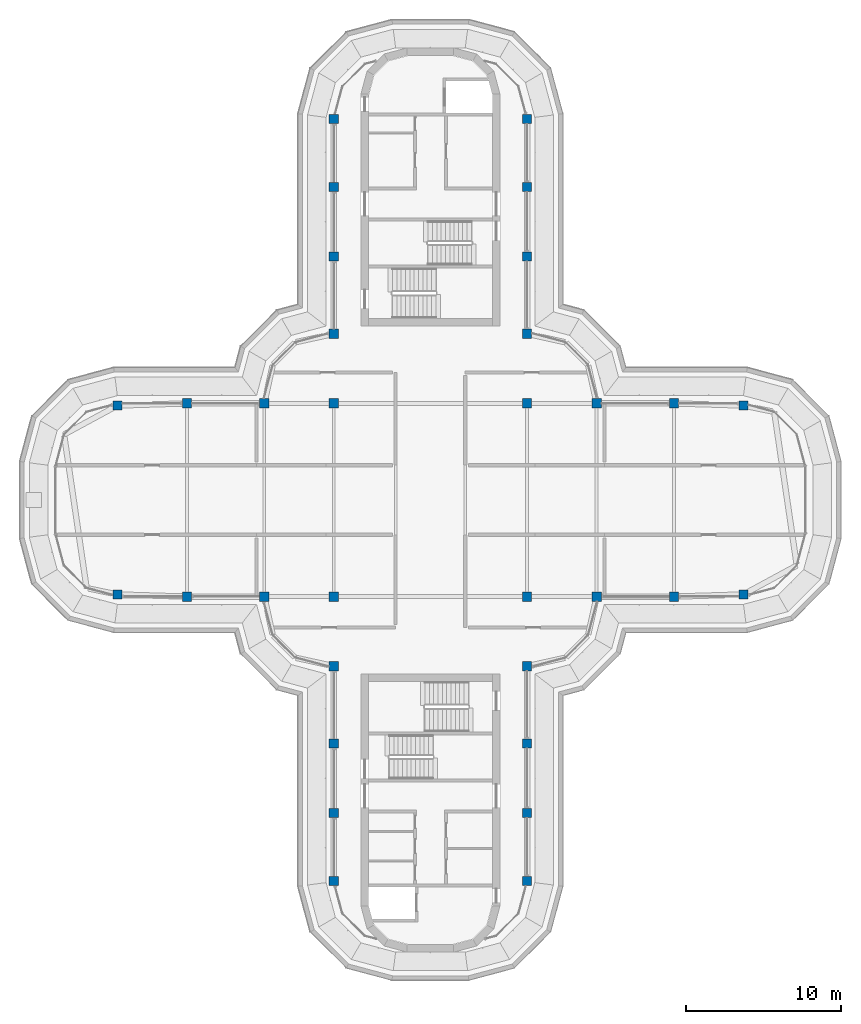
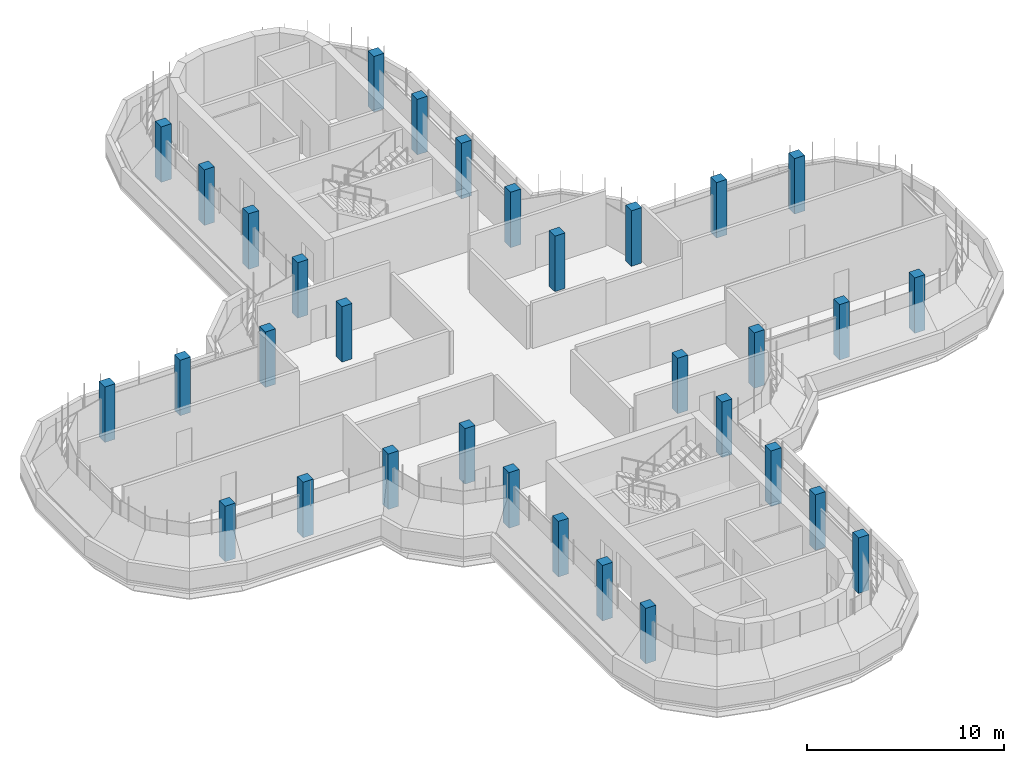
# One storey, part 1 of 19: 32 columns.
"""IFC4 building model written with IfcOpenShell, lengths in metres."""

import ifcopenshell
import ifcopenshell.guid

model = None  # the IFC model being written
_history = None  # IfcOwnerHistory: only IFC2X3 demands one
_inside = {}  # id of a spatial element -> (the spatial element, [elements in it])
_under = {}  # id of a project, library or spatial element -> (it, [spatial elements below it])
_declared = {}  # id of a project -> (the project, [libraries it declares])
_typed = {}  # id of a type object -> (the type object, [elements of that type])
_made_of = {}  # id of a material, layer set ... -> (it, [elements and type objects made of it])


def new_model(schema):
    """Start an empty IFC model of exactly this schema.

    Asked for "IFC4X3", IfcOpenShell would pick the latest addendum, in which some entities
    have other attributes; the version numbers below select the first issue.
    IFC2X3 requires an IfcOwnerHistory on every rooted entity: one is made here for all.
    """
    global model, _history
    if schema == "IFC4X3":
        model = ifcopenshell.file(schema_version=(4, 3, 0, 0))
    else:
        model = ifcopenshell.file(schema=schema)
    _inside.clear()
    _under.clear()
    _declared.clear()
    _typed.clear()
    _made_of.clear()
    _history = None
    if model.schema == "IFC2X3":
        org = make("IfcOrganization", Name="unknown")
        user = make(
            "IfcPersonAndOrganization",
            ThePerson=make("IfcPerson", FamilyName="unknown"),
            TheOrganization=org,
        )
        app = make(
            "IfcApplication",
            ApplicationDeveloper=org,
            Version="unknown",
            ApplicationFullName="unknown",
            ApplicationIdentifier="unknown",
        )
        _history = make(
            "IfcOwnerHistory",
            OwningUser=user,
            OwningApplication=app,
            ChangeAction="ADDED",
            CreationDate=0,
        )
    return model


def make(cls, **values):
    """One entity of the class cls with the attributes given. An attribute that is None is left unset."""
    return model.create_entity(
        cls, **{name: value for name, value in values.items() if value is not None}
    )


def rooted(cls, **values):
    """An entity with a GlobalId (a new one), such as an element, a storey or a relation."""
    return make(cls, GlobalId=ifcopenshell.guid.new(), OwnerHistory=_history, **values)


def si_unit(unit_type, name, prefix=None):
    """IfcSIUnit, for example si_unit("LENGTHUNIT", "METRE", prefix="MILLI")."""
    return make("IfcSIUnit", UnitType=unit_type, Prefix=prefix, Name=name)


def assignment(units):
    """IfcUnitAssignment: the units of a project."""
    return None if units is None else make("IfcUnitAssignment", Units=units)


def point(xyz):
    """IfcCartesianPoint."""
    return None if xyz is None else make("IfcCartesianPoint", Coordinates=xyz)


def direction(xyz):
    """IfcDirection."""
    return None if xyz is None else make("IfcDirection", DirectionRatios=xyz)


def frame(location, z_axis=None, x_axis=None):
    """IfcAxis2Placement3D, a coordinate frame: its origin and axes. An axis left out is left unset."""
    return make(
        "IfcAxis2Placement3D",
        Location=point(location),
        Axis=direction(z_axis),
        RefDirection=direction(x_axis),
    )


def frame_2d(location, x_axis=None):
    """IfcAxis2Placement2D, a coordinate frame in the plane: its origin and x axis."""
    return make(
        "IfcAxis2Placement2D", Location=point(location), RefDirection=direction(x_axis)
    )


def origin():
    """The frame at (0, 0, 0) with its axes left unset."""
    return frame((0.0, 0.0, 0.0))


def origin_2d():
    """The frame at (0, 0) in the plane with its x axis left unset."""
    return frame_2d((0.0, 0.0))


def place(relative_to, where):
    """IfcLocalPlacement: puts the frame where relative to a parent placement (None: the world)."""
    return make(
        "IfcLocalPlacement", PlacementRelTo=relative_to, RelativePlacement=where
    )


def context(
    kind, dimensions, precision=None, world=None, true_north=None, identifier=None
):
    """IfcGeometricRepresentationContext, for example the 3D "Model" context."""
    return make(
        "IfcGeometricRepresentationContext",
        ContextIdentifier=identifier,
        ContextType=kind,
        CoordinateSpaceDimension=dimensions,
        Precision=precision,
        WorldCoordinateSystem=world,
        TrueNorth=true_north,
    )


def subcontext(parent, identifier, kind, view, scale=None):
    """IfcGeometricRepresentationSubContext, for example "Body" below "Model"."""
    return make(
        "IfcGeometricRepresentationSubContext",
        ContextIdentifier=identifier,
        ContextType=kind,
        ParentContext=parent,
        TargetScale=scale,
        TargetView=view,
    )


def project(units=None, contexts=None):
    """IfcProject with its units and contexts."""
    return rooted(
        "IfcProject",
        Name="project",
        RepresentationContexts=contexts,
        UnitsInContext=assignment(units),
    )


def spatial(cls, under=None, at=None, **own):
    """A site, building, storey or space (cls), placed at a placement, below another one or the project."""
    s = rooted(cls, ObjectPlacement=at, **own)
    if under is not None:
        _under.setdefault(under.id(), (under, []))[1].append(s)
    return s


def profile(cls, at=None, kind="AREA", **sizes):
    """A parametric profile (cls). Its sizes go by their IFC names, for example OverallWidth=200.0."""
    return make(cls, ProfileType=kind, Position=at, **sizes)


def rectangle(**sizes):
    """IfcRectangleProfileDef."""
    return profile("IfcRectangleProfileDef", **sizes)


def extrude(swept, where, along, depth):
    """IfcExtrudedAreaSolid: the profile swept, set in the frame where, extruded along a direction by depth."""
    return make(
        "IfcExtrudedAreaSolid",
        SweptArea=swept,
        Position=where,
        ExtrudedDirection=direction(along),
        Depth=depth,
    )


def shape(context_of_items, identifier, shape_type, items):
    """IfcShapeRepresentation: the items that make up one representation, for example the "Body"."""
    return make(
        "IfcShapeRepresentation",
        ContextOfItems=context_of_items,
        RepresentationIdentifier=identifier,
        RepresentationType=shape_type,
        Items=items,
    )


def material(Name=None, Category=None):
    """IfcMaterial."""
    return make("IfcMaterial", Name=Name, Category=Category)


def material_profile(
    of_material, cross_section, Name=None, Category=None, Priority=None
):
    """IfcMaterialProfile: a cross section and its material."""
    return make(
        "IfcMaterialProfile",
        Name=Name,
        Material=of_material,
        Profile=cross_section,
        Priority=Priority,
        Category=Category,
    )


def profile_set(profiles, Name=None, composite=None):
    """IfcMaterialProfileSet."""
    return make(
        "IfcMaterialProfileSet",
        Name=Name,
        MaterialProfiles=profiles,
        CompositeProfile=composite,
    )


def made_of(thing, what):
    """Note that an element or type object is made of a material, layer set ...; save() writes the relation."""
    if what is not None:
        _made_of.setdefault(what.id(), (what, []))[1].append(thing)
    return thing


def type_object(cls, material=None, **own):
    """A type object (cls), such as IfcWallType, which elements share."""
    return made_of(rooted(cls, **own), material)


def element(
    cls,
    number,
    at=None,
    inside=None,
    cuts=None,
    type_object=None,
    material=None,
    context=None,
    identifier="Body",
    shape_type=None,
    held_by="IfcProductDefinitionShape",
    body=None,
    shapes=None,
    **own,
):
    """One element of the class cls, such as IfcWall. Its Tag is "e" and its number.

    at: its placement. inside: the storey or other place that contains it. cuts: it is an
    opening in that element (IfcRelVoidsElement). A single representation is given by context,
    identifier, shape_type and body (its items); several are given by shapes. held_by: the class
    of the entity that holds the representations. save() writes the other relations.
    """
    e = rooted(cls, Tag="e%d" % number, ObjectPlacement=at, **own)
    if body is not None:
        shapes = [shape(context, identifier, shape_type, body)]
    if shapes is not None:
        e.Representation = make(held_by, Representations=shapes)
    if inside is not None:
        _inside.setdefault(inside.id(), (inside, []))[1].append(e)
    if cuts is not None:
        rooted(
            "IfcRelVoidsElement", RelatingBuildingElement=cuts, RelatedOpeningElement=e
        )
    if type_object is not None:
        _typed.setdefault(type_object.id(), (type_object, []))[1].append(e)
    return made_of(e, material)


def aggregate(whole, parts):
    """IfcRelAggregates: a whole, such as a stair, and the parts it consists of."""
    return rooted("IfcRelAggregates", RelatingObject=whole, RelatedObjects=parts)


def save(model, path):
    """Write the relations noted so far, then the file.

    IfcRelAggregates (storeys below a building ...), IfcRelContainedInSpatialStructure (elements
    in a storey), IfcRelDefinesByType, IfcRelAssociatesMaterial and IfcRelDeclares: one each for
    every whole, place, type object, material and project.
    """
    for whole, parts in _under.values():
        aggregate(whole, parts)
    for where, things in _inside.values():
        rooted(
            "IfcRelContainedInSpatialStructure",
            RelatedElements=things,
            RelatingStructure=where,
        )
    for kind, things in _typed.values():
        rooted("IfcRelDefinesByType", RelatedObjects=things, RelatingType=kind)
    for what, things in _made_of.values():
        rooted("IfcRelAssociatesMaterial", RelatedObjects=things, RelatingMaterial=what)
    for by, libraries in _declared.values():
        rooted("IfcRelDeclares", RelatingContext=by, RelatedDefinitions=libraries)
    model.write(path)


model = new_model("IFC4")

# Units and contexts
model_context = context("Model", 3, precision=1e-05, world=origin(), true_north=direction((0.0, 1.0)))
body_context = subcontext(model_context, "Body", "Model", "MODEL_VIEW")
ifc_project = project(units=[si_unit("LENGTHUNIT", "METRE"), si_unit("AREAUNIT", "SQUARE_METRE"), si_unit("VOLUMEUNIT", "CUBIC_METRE"), si_unit("PLANEANGLEUNIT", "RADIAN"), si_unit("MASSUNIT", "GRAM", prefix="KILO")], contexts=[model_context])

# Site, building, storey
site_placement = place(None, origin())
site = spatial("IfcSite", under=ifc_project, at=site_placement, CompositionType="ELEMENT")
building_placement = place(site_placement, origin())
building = spatial("IfcBuilding", under=site, at=building_placement, Name="Zarbagh Exchange Tower", CompositionType="ELEMENT")
storey_placement = place(building_placement, frame((0.0, 0.0, 295.199951171875)))
storey = spatial("IfcBuildingStorey", under=building, at=storey_placement, Name="L72", CompositionType="ELEMENT", Elevation=295.199951171875)

# Columns
ifc_material = material(Name="Concrete C40/50", Category="concrete")
ifc_material_profile = material_profile(ifc_material, rectangle(XDim=0.60009765625, YDim=0.60009765625, at=origin_2d()), Name="RC column 600 x 600 C40/50")
ifc_profile_set = profile_set([ifc_material_profile], Name="Concrete C40/50")
column_type = type_object("IfcColumnType", Name="RC column 600 x 600 C40/50", PredefinedType="COLUMN", material=ifc_profile_set)
for number, where, z_axis, x_axis, name in (
    (1, (-20.25, -6.110107421875, 0.0), (0.0, 0.0, 1.0), (1.0, 0.0, 0.0), "C6 13/R"),
    (2, (-20.25, 6.110107421875, 0.0), (0.0, 0.0, 1.0), (1.0, 0.0, 0.0), "C6 13/U"),
    (3, (-15.75, -6.25, 0.0), (0.0, 0.0, 1.0), (1.0, 0.0, 0.0), "C6 14/R"),
    (4, (-15.75, 6.25, 0.0), (0.0, 0.0, 1.0), (1.0, 0.0, 0.0), "C6 14/U"),
    (5, (-10.75, -6.25, 0.0), (0.0, 0.0, 1.0), (1.0, 0.0, 0.0), "C6 15/R"),
    (6, (-10.75, 6.25, 0.0), (0.0, 0.0, 1.0), (1.0, 0.0, 0.0), "C6 15/U"),
    (7, (-6.25, -24.64990234375, 0.0), (0.0, 0.0, 1.0), (1.0, 0.0, 0.0), "C6 16/M"),
    (8, (-6.25, -20.25, 0.0), (0.0, 0.0, 1.0), (1.0, 0.0, 0.0), "C6 16/N"),
    (9, (-6.25, -15.75, 0.0), (0.0, 0.0, 1.0), (1.0, 0.0, 0.0), "C6 16/P"),
    (10, (-6.25, -10.75, 0.0), (0.0, 0.0, 1.0), (1.0, 0.0, 0.0), "C6 16/Q"),
    (11, (-6.25, -6.25, 0.0), (0.0, 0.0, 1.0), (1.0, 0.0, 0.0), "C6 16/R"),
    (12, (-6.25, 6.25, 0.0), (0.0, 0.0, 1.0), (1.0, 0.0, 0.0), "C6 16/U"),
    (13, (-6.25, 10.75, 0.0), (0.0, 0.0, 1.0), (1.0, 0.0, 0.0), "C6 16/V"),
    (14, (-6.25, 15.75, 0.0), (0.0, 0.0, 1.0), (1.0, 0.0, 0.0), "C6 16/W"),
    (15, (-6.25, 20.25, 0.0), (0.0, 0.0, 1.0), (1.0, 0.0, 0.0), "C6 16/X"),
    (16, (-6.25, 24.64990234375, 0.0), (0.0, 0.0, 1.0), (1.0, 0.0, 0.0), "C6 16/Y"),
    (17, (6.25, -24.64990234375, 0.0), (0.0, 0.0, 1.0), (1.0, 0.0, 0.0), "C6 19/M"),
    (18, (6.25, -20.25, 0.0), (0.0, 0.0, 1.0), (1.0, 0.0, 0.0), "C6 19/N"),
    (19, (6.25, -15.75, 0.0), (0.0, 0.0, 1.0), (1.0, 0.0, 0.0), "C6 19/P"),
    (20, (6.25, -10.75, 0.0), (0.0, 0.0, 1.0), (1.0, 0.0, 0.0), "C6 19/Q"),
    (21, (6.25, -6.25, 0.0), (0.0, 0.0, 1.0), (1.0, 0.0, 0.0), "C6 19/R"),
    (22, (6.25, 6.25, 0.0), (0.0, 0.0, 1.0), (1.0, 0.0, 0.0), "C6 19/U"),
    (23, (6.25, 10.75, 0.0), (0.0, 0.0, 1.0), (1.0, 0.0, 0.0), "C6 19/V"),
    (24, (6.25, 15.75, 0.0), (0.0, 0.0, 1.0), (1.0, 0.0, 0.0), "C6 19/W"),
    (25, (6.25, 20.25, 0.0), (0.0, 0.0, 1.0), (1.0, 0.0, 0.0), "C6 19/X"),
    (26, (6.25, 24.64990234375, 0.0), (0.0, 0.0, 1.0), (1.0, 0.0, 0.0), "C6 19/Y"),
    (27, (10.75, -6.25, 0.0), (0.0, 0.0, 1.0), (1.0, 0.0, 0.0), "C6 20/R"),
    (28, (10.75, 6.25, 0.0), (0.0, 0.0, 1.0), (1.0, 0.0, 0.0), "C6 20/U"),
    (29, (15.75, -6.25, 0.0), (0.0, 0.0, 1.0), (1.0, 0.0, 0.0), "C6 21/R"),
    (30, (15.75, 6.25, 0.0), (0.0, 0.0, 1.0), (1.0, 0.0, 0.0), "C6 21/U"),
    (31, (20.25, -6.110107421875, 0.0), (0.0, 0.0, 1.0), (1.0, 0.0, 0.0), "C6 22/R"),
    (32, (20.25, 6.110107421875, 0.0), (0.0, 0.0, 1.0), (1.0, 0.0, 0.0), "C6 22/U"),
):
    element("IfcColumn", number, at=place(storey_placement, frame(where, z_axis=z_axis, x_axis=x_axis)), inside=storey, type_object=column_type, Name=name, PredefinedType="COLUMN", context=body_context, shape_type="SweptSolid", body=[
        extrude(rectangle(XDim=0.60009765625, YDim=0.60009765625, at=origin_2d()), origin(), (0.0, 0.0, 1.0), 3.449951171875),
    ])

save(model, "model.ifc")
